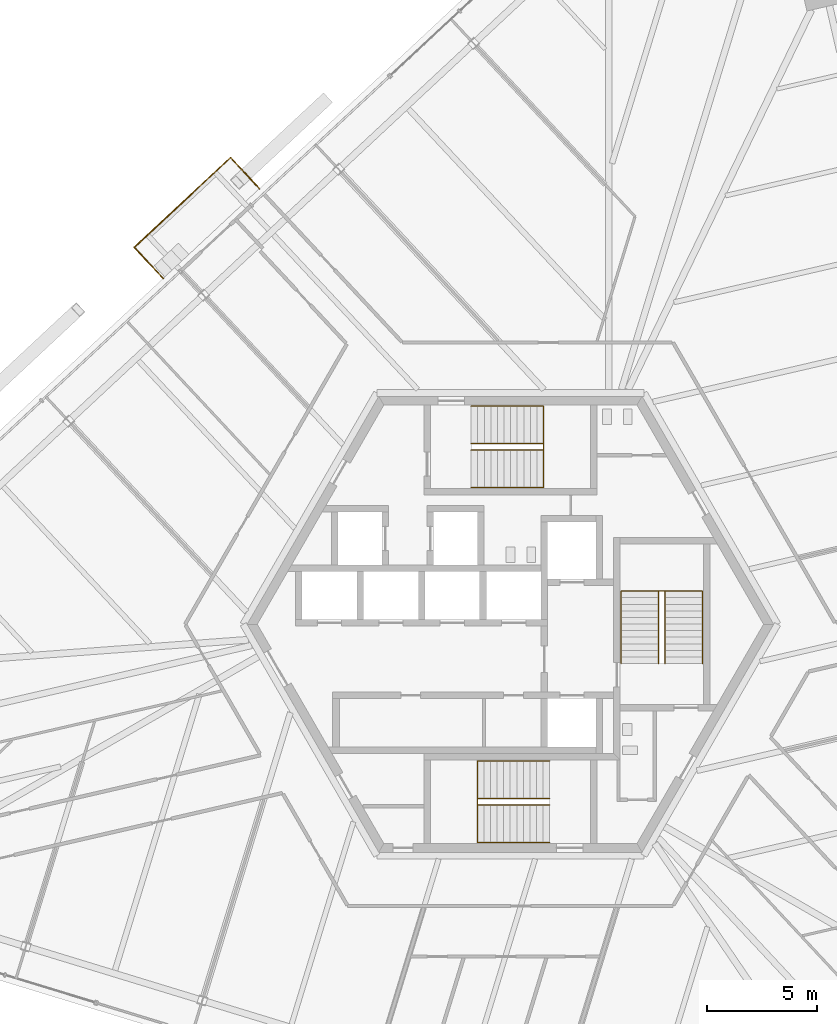
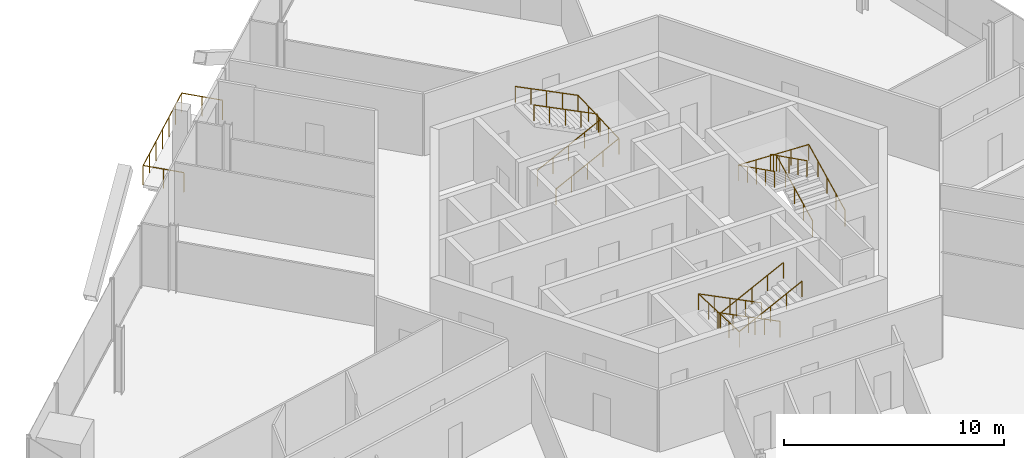
# One storey, part 16 of 19: 7 railings.
"""IFC4 building model written with IfcOpenShell, lengths in metres."""

from ifc_helpers import new_model, si_unit, direction, frame, origin, origin_2d, place, context, subcontext, project, spatial, circle, extrude, source, transform, mapped, material, type_object, element, save


model = new_model("IFC4")

# Units and contexts
model_context = context("Model", 3, precision=1e-05, world=origin(), true_north=direction((0.0, 1.0)))
body_context = subcontext(model_context, "Body", "Model", "MODEL_VIEW")
ifc_project = project(units=[si_unit("LENGTHUNIT", "METRE"), si_unit("AREAUNIT", "SQUARE_METRE"), si_unit("VOLUMEUNIT", "CUBIC_METRE"), si_unit("PLANEANGLEUNIT", "RADIAN"), si_unit("MASSUNIT", "GRAM", prefix="KILO")], contexts=[model_context])

# Site, building, storey
site_placement = place(None, origin())
site = spatial("IfcSite", under=ifc_project, at=site_placement, CompositionType="ELEMENT")
building_placement = place(site_placement, origin())
building = spatial("IfcBuilding", under=site, at=building_placement, Name="Triune Harvest Tower", CompositionType="ELEMENT")
storey_placement = place(building_placement, frame((0.0, 0.0, 109.10009765625)))
storey = spatial("IfcBuildingStorey", under=building, at=storey_placement, Name="L27", CompositionType="ELEMENT", Elevation=109.10009765625)

# Railings
ifc_material_1 = material(Name="Stainless steel AISI 316", Category="steel")
railing_type_1 = type_object("IfcRailingType", Name="Stair handrail", PredefinedType="HANDRAIL", material=ifc_material_1)
shared_shape_1 = source(origin(), body_context, "Body", "SweptSolid", [
    extrude(circle(Radius=0.02392578125, at=origin_2d()), frame((0.0, 0.0, 0.8759765625), z_axis=(0.894440424912, 0.0, 0.447187126696), x_axis=(0.0, 1.0, 0.0)), (0.0, 0.0, 1.0), 3.689453125),
    extrude(circle(Radius=0.02392578125, at=origin_2d()), frame((3.300048828125, 0.0, 2.52587890625), z_axis=(0.0, 0.999177620331, 0.040547293732), x_axis=(-1.0, 0.0, 0.0)), (0.0, 0.0, 1.0), 3.702880859375),
    extrude(circle(Radius=0.02392578125, at=origin_2d()), frame((3.300048828125, 3.699951171875, 2.67578125), z_axis=(-0.894440424912, 0.0, 0.447187126696), x_axis=(0.0, -1.0, 0.0)), (0.0, 0.0, 1.0), 3.689453125),
    extrude(circle(Radius=0.02099609375, at=origin_2d()), origin(), (0.0, 0.0, 1.0), 0.851806640625),
    extrude(circle(Radius=0.02099609375, at=origin_2d()), frame((0.824951171875, 0.0, 0.41259765625)), (0.0, 0.0, 1.0), 0.851806640625),
    extrude(circle(Radius=0.02099609375, at=origin_2d()), frame((1.64990234375, 0.0, 0.824951171875)), (0.0, 0.0, 1.0), 0.851806640625),
    extrude(circle(Radius=0.02099609375, at=origin_2d()), frame((2.47509765625, 0.0, 1.2373046875)), (0.0, 0.0, 1.0), 0.851806640625),
    extrude(circle(Radius=0.02099609375, at=origin_2d()), frame((3.300048828125, 0.0, 1.64990234375)), (0.0, 0.0, 1.0), 0.851806640625),
    extrude(circle(Radius=0.02099609375, at=origin_2d()), frame((3.300048828125, 0.925048828125, 1.6875)), (0.0, 0.0, 1.0), 0.851806640625),
    extrude(circle(Radius=0.02099609375, at=origin_2d()), frame((3.300048828125, 1.85009765625, 1.72509765625)), (0.0, 0.0, 1.0), 0.851806640625),
    extrude(circle(Radius=0.02099609375, at=origin_2d()), frame((3.300048828125, 2.77490234375, 1.762451171875)), (0.0, 0.0, 1.0), 0.851806640625),
    extrude(circle(Radius=0.02099609375, at=origin_2d()), frame((3.300048828125, 3.699951171875, 1.800048828125)), (0.0, 0.0, 1.0), 0.851806640625),
    extrude(circle(Radius=0.02099609375, at=origin_2d()), frame((2.47509765625, 3.699951171875, 2.21240234375)), (0.0, 0.0, 1.0), 0.851806640625),
    extrude(circle(Radius=0.02099609375, at=origin_2d()), frame((1.64990234375, 3.699951171875, 2.625)), (0.0, 0.0, 1.0), 0.851806640625),
    extrude(circle(Radius=0.02099609375, at=origin_2d()), frame((0.824951171875, 3.699951171875, 3.03759765625)), (0.0, 0.0, 1.0), 0.851806640625),
    extrude(circle(Radius=0.02099609375, at=origin_2d()), frame((0.0, 3.699951171875, 3.449951171875)), (0.0, 0.0, 1.0), 0.851806640625),
])
railing_1_placement = place(storey_placement, frame((-1.7900390625, 6.239990234375, 0.14990234375)))
element("IfcRailing", 1, at=railing_1_placement, inside=storey, type_object=railing_type_1, Name="Exit stair north wall handrail", PredefinedType="HANDRAIL", context=body_context, shape_type="MappedRepresentation", body=[
    mapped(shared_shape_1, transform((0.0, 0.0, 0.0), scale=1.0)),
])
shared_shape_2 = source(origin(), body_context, "Body", "SweptSolid", [
    extrude(circle(Radius=0.02392578125, at=origin_2d()), frame((0.0, 0.0, 0.8759765625), z_axis=(0.894440424912, 0.0, 0.447187126696), x_axis=(0.0, 1.0, 0.0)), (0.0, 0.0, 1.0), 3.689453125),
    extrude(circle(Radius=0.02392578125, at=origin_2d()), frame((3.300048828125, 0.0, 2.52587890625), z_axis=(0.0, 0.894281613681, 0.447504631744), x_axis=(-1.0, 0.0, 0.0)), (0.0, 0.0, 1.0), 0.33544921875),
    extrude(circle(Radius=0.02392578125, at=origin_2d()), frame((3.300048828125, 0.300048828125, 2.67578125), z_axis=(-0.894440424912, 0.0, 0.447187126696), x_axis=(0.0, -1.0, 0.0)), (0.0, 0.0, 1.0), 3.689453125),
    extrude(circle(Radius=0.02099609375, at=origin_2d()), origin(), (0.0, 0.0, 1.0), 0.851806640625),
    extrude(circle(Radius=0.02099609375, at=origin_2d()), frame((0.824951171875, 0.0, 0.41259765625)), (0.0, 0.0, 1.0), 0.851806640625),
    extrude(circle(Radius=0.02099609375, at=origin_2d()), frame((1.64990234375, 0.0, 0.824951171875)), (0.0, 0.0, 1.0), 0.851806640625),
    extrude(circle(Radius=0.02099609375, at=origin_2d()), frame((2.47509765625, 0.0, 1.2373046875)), (0.0, 0.0, 1.0), 0.851806640625),
    extrude(circle(Radius=0.02099609375, at=origin_2d()), frame((3.300048828125, 0.0, 1.64990234375)), (0.0, 0.0, 1.0), 0.851806640625),
    extrude(circle(Radius=0.02099609375, at=origin_2d()), frame((3.300048828125, 0.300048828125, 1.800048828125)), (0.0, 0.0, 1.0), 0.851806640625),
    extrude(circle(Radius=0.02099609375, at=origin_2d()), frame((2.47509765625, 0.300048828125, 2.21240234375)), (0.0, 0.0, 1.0), 0.851806640625),
    extrude(circle(Radius=0.02099609375, at=origin_2d()), frame((1.64990234375, 0.300048828125, 2.625)), (0.0, 0.0, 1.0), 0.851806640625),
    extrude(circle(Radius=0.02099609375, at=origin_2d()), frame((0.824951171875, 0.300048828125, 3.03759765625)), (0.0, 0.0, 1.0), 0.851806640625),
    extrude(circle(Radius=0.02099609375, at=origin_2d()), frame((0.0, 0.300048828125, 3.449951171875)), (0.0, 0.0, 1.0), 0.851806640625),
])
railing_2_placement = place(storey_placement, frame((-1.7900390625, 7.93994140625, 0.14990234375)))
element("IfcRailing", 2, at=railing_2_placement, inside=storey, type_object=railing_type_1, Name="Exit stair north centre handrail", PredefinedType="HANDRAIL", context=body_context, shape_type="MappedRepresentation", body=[
    mapped(shared_shape_2, transform((0.0, 0.0, 0.0), scale=1.0)),
])
shared_shape_3 = source(origin(), body_context, "Body", "SweptSolid", [
    extrude(circle(Radius=0.02392578125, at=origin_2d()), frame((0.0, 0.0, 0.8759765625), z_axis=(-0.894440424912, 0.0, 0.447187126696), x_axis=(0.0, -1.0, 0.0)), (0.0, 0.0, 1.0), 3.689453125),
    extrude(circle(Radius=0.02392578125, at=origin_2d()), frame((-3.300048828125, 0.0, 2.52587890625), z_axis=(0.0, -0.999177620331, 0.040547293732), x_axis=(1.0, 0.0, 0.0)), (0.0, 0.0, 1.0), 3.702880859375),
    extrude(circle(Radius=0.02392578125, at=origin_2d()), frame((-3.300048828125, -3.699951171875, 2.67578125), z_axis=(0.894440424912, 0.0, 0.447187126696), x_axis=(0.0, 1.0, 0.0)), (0.0, 0.0, 1.0), 3.689453125),
    extrude(circle(Radius=0.02099609375, at=origin_2d()), origin(), (0.0, 0.0, 1.0), 0.851806640625),
    extrude(circle(Radius=0.02099609375, at=origin_2d()), frame((-0.824951171875, 0.0, 0.41259765625)), (0.0, 0.0, 1.0), 0.851806640625),
    extrude(circle(Radius=0.02099609375, at=origin_2d()), frame((-1.64990234375, 0.0, 0.824951171875)), (0.0, 0.0, 1.0), 0.851806640625),
    extrude(circle(Radius=0.02099609375, at=origin_2d()), frame((-2.47509765625, 0.0, 1.2373046875)), (0.0, 0.0, 1.0), 0.851806640625),
    extrude(circle(Radius=0.02099609375, at=origin_2d()), frame((-3.300048828125, 0.0, 1.64990234375)), (0.0, 0.0, 1.0), 0.851806640625),
    extrude(circle(Radius=0.02099609375, at=origin_2d()), frame((-3.300048828125, -0.925048828125, 1.6875)), (0.0, 0.0, 1.0), 0.851806640625),
    extrude(circle(Radius=0.02099609375, at=origin_2d()), frame((-3.300048828125, -1.85009765625, 1.72509765625)), (0.0, 0.0, 1.0), 0.851806640625),
    extrude(circle(Radius=0.02099609375, at=origin_2d()), frame((-3.300048828125, -2.77490234375, 1.762451171875)), (0.0, 0.0, 1.0), 0.851806640625),
    extrude(circle(Radius=0.02099609375, at=origin_2d()), frame((-3.300048828125, -3.699951171875, 1.800048828125)), (0.0, 0.0, 1.0), 0.851806640625),
    extrude(circle(Radius=0.02099609375, at=origin_2d()), frame((-2.47509765625, -3.699951171875, 2.21240234375)), (0.0, 0.0, 1.0), 0.851806640625),
    extrude(circle(Radius=0.02099609375, at=origin_2d()), frame((-1.64990234375, -3.699951171875, 2.625)), (0.0, 0.0, 1.0), 0.851806640625),
    extrude(circle(Radius=0.02099609375, at=origin_2d()), frame((-0.824951171875, -3.699951171875, 3.03759765625)), (0.0, 0.0, 1.0), 0.851806640625),
    extrude(circle(Radius=0.02099609375, at=origin_2d()), frame((0.0, -3.699951171875, 3.449951171875)), (0.0, 0.0, 1.0), 0.851806640625),
])
railing_3_placement = place(storey_placement, frame((1.7900390625, -6.239990234375, 0.14990234375)))
element("IfcRailing", 3, at=railing_3_placement, inside=storey, type_object=railing_type_1, Name="Exit stair south wall handrail", PredefinedType="HANDRAIL", context=body_context, shape_type="MappedRepresentation", body=[
    mapped(shared_shape_3, transform((0.0, 0.0, 0.0), scale=1.0)),
])
shared_shape_4 = source(origin(), body_context, "Body", "SweptSolid", [
    extrude(circle(Radius=0.02392578125, at=origin_2d()), frame((0.0, 0.0, 0.8759765625), z_axis=(-0.894440424912, 0.0, 0.447187126696), x_axis=(0.0, -1.0, 0.0)), (0.0, 0.0, 1.0), 3.689453125),
    extrude(circle(Radius=0.02392578125, at=origin_2d()), frame((-3.300048828125, 0.0, 2.52587890625), z_axis=(0.0, -0.894281613681, 0.447504631744), x_axis=(1.0, 0.0, 0.0)), (0.0, 0.0, 1.0), 0.33544921875),
    extrude(circle(Radius=0.02392578125, at=origin_2d()), frame((-3.300048828125, -0.300048828125, 2.67578125), z_axis=(0.894440424912, 0.0, 0.447187126696), x_axis=(0.0, 1.0, 0.0)), (0.0, 0.0, 1.0), 3.689453125),
    extrude(circle(Radius=0.02099609375, at=origin_2d()), origin(), (0.0, 0.0, 1.0), 0.851806640625),
    extrude(circle(Radius=0.02099609375, at=origin_2d()), frame((-0.824951171875, 0.0, 0.41259765625)), (0.0, 0.0, 1.0), 0.851806640625),
    extrude(circle(Radius=0.02099609375, at=origin_2d()), frame((-1.64990234375, 0.0, 0.824951171875)), (0.0, 0.0, 1.0), 0.851806640625),
    extrude(circle(Radius=0.02099609375, at=origin_2d()), frame((-2.47509765625, 0.0, 1.2373046875)), (0.0, 0.0, 1.0), 0.851806640625),
    extrude(circle(Radius=0.02099609375, at=origin_2d()), frame((-3.300048828125, 0.0, 1.64990234375)), (0.0, 0.0, 1.0), 0.851806640625),
    extrude(circle(Radius=0.02099609375, at=origin_2d()), frame((-3.300048828125, -0.300048828125, 1.800048828125)), (0.0, 0.0, 1.0), 0.851806640625),
    extrude(circle(Radius=0.02099609375, at=origin_2d()), frame((-2.47509765625, -0.300048828125, 2.21240234375)), (0.0, 0.0, 1.0), 0.851806640625),
    extrude(circle(Radius=0.02099609375, at=origin_2d()), frame((-1.64990234375, -0.300048828125, 2.625)), (0.0, 0.0, 1.0), 0.851806640625),
    extrude(circle(Radius=0.02099609375, at=origin_2d()), frame((-0.824951171875, -0.300048828125, 3.03759765625)), (0.0, 0.0, 1.0), 0.851806640625),
    extrude(circle(Radius=0.02099609375, at=origin_2d()), frame((0.0, -0.300048828125, 3.449951171875)), (0.0, 0.0, 1.0), 0.851806640625),
])
railing_4_placement = place(storey_placement, frame((1.7900390625, -7.93994140625, 0.14990234375)))
element("IfcRailing", 4, at=railing_4_placement, inside=storey, type_object=railing_type_1, Name="Exit stair south centre handrail", PredefinedType="HANDRAIL", context=body_context, shape_type="MappedRepresentation", body=[
    mapped(shared_shape_4, transform((0.0, 0.0, 0.0), scale=1.0)),
])
shared_shape_5 = source(origin(), body_context, "Body", "SweptSolid", [
    extrude(circle(Radius=0.02392578125, at=origin_2d()), frame((0.0, 0.0, 0.8759765625), z_axis=(0.0, 0.894440424912, 0.447187126696), x_axis=(-1.0, 0.0, 0.0)), (0.0, 0.0, 1.0), 3.689453125),
    extrude(circle(Radius=0.02392578125, at=origin_2d()), frame((0.0, 3.300048828125, 2.52587890625), z_axis=(-0.999177620331, 0.0, 0.040547293732), x_axis=(0.0, -1.0, 0.0)), (0.0, 0.0, 1.0), 3.702880859375),
    extrude(circle(Radius=0.02392578125, at=origin_2d()), frame((-3.699951171875, 3.300048828125, 2.67578125), z_axis=(0.0, -0.894440424912, 0.447187126696), x_axis=(1.0, 0.0, 0.0)), (0.0, 0.0, 1.0), 3.689453125),
    extrude(circle(Radius=0.02099609375, at=origin_2d()), origin(), (0.0, 0.0, 1.0), 0.851806640625),
    extrude(circle(Radius=0.02099609375, at=origin_2d()), frame((0.0, 0.824951171875, 0.41259765625)), (0.0, 0.0, 1.0), 0.851806640625),
    extrude(circle(Radius=0.02099609375, at=origin_2d()), frame((0.0, 1.64990234375, 0.824951171875)), (0.0, 0.0, 1.0), 0.851806640625),
    extrude(circle(Radius=0.02099609375, at=origin_2d()), frame((0.0, 2.47509765625, 1.2373046875)), (0.0, 0.0, 1.0), 0.851806640625),
    extrude(circle(Radius=0.02099609375, at=origin_2d()), frame((0.0, 3.300048828125, 1.64990234375)), (0.0, 0.0, 1.0), 0.851806640625),
    extrude(circle(Radius=0.02099609375, at=origin_2d()), frame((-0.925048828125, 3.300048828125, 1.6875)), (0.0, 0.0, 1.0), 0.851806640625),
    extrude(circle(Radius=0.02099609375, at=origin_2d()), frame((-1.85009765625, 3.300048828125, 1.72509765625)), (0.0, 0.0, 1.0), 0.851806640625),
    extrude(circle(Radius=0.02099609375, at=origin_2d()), frame((-2.77490234375, 3.300048828125, 1.762451171875)), (0.0, 0.0, 1.0), 0.851806640625),
    extrude(circle(Radius=0.02099609375, at=origin_2d()), frame((-3.699951171875, 3.300048828125, 1.800048828125)), (0.0, 0.0, 1.0), 0.851806640625),
    extrude(circle(Radius=0.02099609375, at=origin_2d()), frame((-3.699951171875, 2.47509765625, 2.21240234375)), (0.0, 0.0, 1.0), 0.851806640625),
    extrude(circle(Radius=0.02099609375, at=origin_2d()), frame((-3.699951171875, 1.64990234375, 2.625)), (0.0, 0.0, 1.0), 0.851806640625),
    extrude(circle(Radius=0.02099609375, at=origin_2d()), frame((-3.699951171875, 0.824951171875, 3.03759765625)), (0.0, 0.0, 1.0), 0.851806640625),
    extrude(circle(Radius=0.02099609375, at=origin_2d()), frame((-3.699951171875, 0.0, 3.449951171875)), (0.0, 0.0, 1.0), 0.851806640625),
])
railing_5_placement = place(storey_placement, frame((8.75, -1.7900390625, 0.14990234375)))
element("IfcRailing", 5, at=railing_5_placement, inside=storey, type_object=railing_type_1, Name="Exit stair east wall handrail", PredefinedType="HANDRAIL", context=body_context, shape_type="MappedRepresentation", body=[
    mapped(shared_shape_5, transform((0.0, 0.0, 0.0), scale=1.0)),
])
shared_shape_6 = source(origin(), body_context, "Body", "SweptSolid", [
    extrude(circle(Radius=0.02392578125, at=origin_2d()), frame((0.0, 0.0, 0.8759765625), z_axis=(0.0, 0.894440424912, 0.447187126696), x_axis=(-1.0, 0.0, 0.0)), (0.0, 0.0, 1.0), 3.689453125),
    extrude(circle(Radius=0.02392578125, at=origin_2d()), frame((0.0, 3.300048828125, 2.52587890625), z_axis=(-0.894281613681, 0.0, 0.447504631744), x_axis=(0.0, -1.0, 0.0)), (0.0, 0.0, 1.0), 0.33544921875),
    extrude(circle(Radius=0.02392578125, at=origin_2d()), frame((-0.300048828125, 3.300048828125, 2.67578125), z_axis=(0.0, -0.894440424912, 0.447187126696), x_axis=(1.0, 0.0, 0.0)), (0.0, 0.0, 1.0), 3.689453125),
    extrude(circle(Radius=0.02099609375, at=origin_2d()), origin(), (0.0, 0.0, 1.0), 0.851806640625),
    extrude(circle(Radius=0.02099609375, at=origin_2d()), frame((0.0, 0.824951171875, 0.41259765625)), (0.0, 0.0, 1.0), 0.851806640625),
    extrude(circle(Radius=0.02099609375, at=origin_2d()), frame((0.0, 1.64990234375, 0.824951171875)), (0.0, 0.0, 1.0), 0.851806640625),
    extrude(circle(Radius=0.02099609375, at=origin_2d()), frame((0.0, 2.47509765625, 1.2373046875)), (0.0, 0.0, 1.0), 0.851806640625),
    extrude(circle(Radius=0.02099609375, at=origin_2d()), frame((0.0, 3.300048828125, 1.64990234375)), (0.0, 0.0, 1.0), 0.851806640625),
    extrude(circle(Radius=0.02099609375, at=origin_2d()), frame((-0.300048828125, 3.300048828125, 1.800048828125)), (0.0, 0.0, 1.0), 0.851806640625),
    extrude(circle(Radius=0.02099609375, at=origin_2d()), frame((-0.300048828125, 2.47509765625, 2.21240234375)), (0.0, 0.0, 1.0), 0.851806640625),
    extrude(circle(Radius=0.02099609375, at=origin_2d()), frame((-0.300048828125, 1.64990234375, 2.625)), (0.0, 0.0, 1.0), 0.851806640625),
    extrude(circle(Radius=0.02099609375, at=origin_2d()), frame((-0.300048828125, 0.824951171875, 3.03759765625)), (0.0, 0.0, 1.0), 0.851806640625),
    extrude(circle(Radius=0.02099609375, at=origin_2d()), frame((-0.300048828125, 0.0, 3.449951171875)), (0.0, 0.0, 1.0), 0.851806640625),
])
railing_6_placement = place(storey_placement, frame((7.050048828125, -1.7900390625, 0.14990234375)))
element("IfcRailing", 6, at=railing_6_placement, inside=storey, type_object=railing_type_1, Name="Exit stair east centre handrail", PredefinedType="HANDRAIL", context=body_context, shape_type="MappedRepresentation", body=[
    mapped(shared_shape_6, transform((0.0, 0.0, 0.0), scale=1.0)),
])
ifc_material_2 = material(Name="Glass", Category="glass")
railing_type_2 = type_object("IfcRailingType", Name="GD-2 balcony guard 1100", PredefinedType="GUARDRAIL", material=ifc_material_2)
shared_shape_7 = source(origin(), body_context, "Body", "SweptSolid", [
    extrude(circle(Radius=0.02392578125, at=origin_2d()), frame((0.0, 0.0, 1.076171875), z_axis=(-0.681894743179, 0.731450312205, 0.0), x_axis=(-0.731450312205, -0.681894743179, 0.0)), (0.0, 0.0, 1.0), 1.93115234375),
    extrude(circle(Radius=0.02392578125, at=origin_2d()), frame((-1.31689453125, 1.41259765625, 1.076171875), z_axis=(-0.731354232506, -0.681997790755, 0.0), x_axis=(0.681997790755, -0.731354232506, 0.0)), (0.0, 0.0, 1.0), 6.0),
    extrude(circle(Radius=0.02392578125, at=origin_2d()), frame((-5.705078125, -2.679443359375, 1.076171875), z_axis=(0.681962370145, -0.731387261105, 0.0), x_axis=(0.731387261105, 0.681962370145, 0.0)), (0.0, 0.0, 1.0), 1.931396484375),
    extrude(circle(Radius=0.02099609375, at=origin_2d()), origin(), (0.0, 0.0, 1.0), 1.052001953125),
    extrude(circle(Radius=0.02099609375, at=origin_2d()), frame((-0.658447265625, 0.706298828125, 0.0)), (0.0, 0.0, 1.0), 1.052001953125),
    extrude(circle(Radius=0.02099609375, at=origin_2d()), frame((-1.31689453125, 1.41259765625, 0.0)), (0.0, 0.0, 1.0), 1.052001953125),
    extrude(circle(Radius=0.02099609375, at=origin_2d()), frame((-2.04833984375, 0.73046875, 0.0)), (0.0, 0.0, 1.0), 1.052001953125),
    extrude(circle(Radius=0.02099609375, at=origin_2d()), frame((-2.779541015625, 0.048583984375, 0.0)), (0.0, 0.0, 1.0), 1.052001953125),
    extrude(circle(Radius=0.02099609375, at=origin_2d()), frame((-3.510986328125, -0.63330078125, 0.0)), (0.0, 0.0, 1.0), 1.052001953125),
    extrude(circle(Radius=0.02099609375, at=origin_2d()), frame((-4.242431640625, -1.3154296875, 0.0)), (0.0, 0.0, 1.0), 1.052001953125),
    extrude(circle(Radius=0.02099609375, at=origin_2d()), frame((-4.9736328125, -1.99755859375, 0.0)), (0.0, 0.0, 1.0), 1.052001953125),
    extrude(circle(Radius=0.02099609375, at=origin_2d()), frame((-5.705078125, -2.679443359375, 0.0)), (0.0, 0.0, 1.0), 1.052001953125),
    extrude(circle(Radius=0.02099609375, at=origin_2d()), frame((-5.04638671875, -3.3857421875, 0.0)), (0.0, 0.0, 1.0), 1.052001953125),
    extrude(circle(Radius=0.02099609375, at=origin_2d()), frame((-4.387939453125, -4.092041015625, 0.0)), (0.0, 0.0, 1.0), 1.052001953125),
])
railing_7_placement = place(storey_placement, frame((-11.439208984375, 19.857421875, 0.0)))
element("IfcRailing", 7, at=railing_7_placement, inside=storey, type_object=railing_type_2, Name="Balcony guard B3-F3 L27.6", PredefinedType="GUARDRAIL", context=body_context, shape_type="MappedRepresentation", body=[
    mapped(shared_shape_7, transform((0.0, 0.0, 0.0), scale=1.0)),
])

save(model, "model.ifc")
